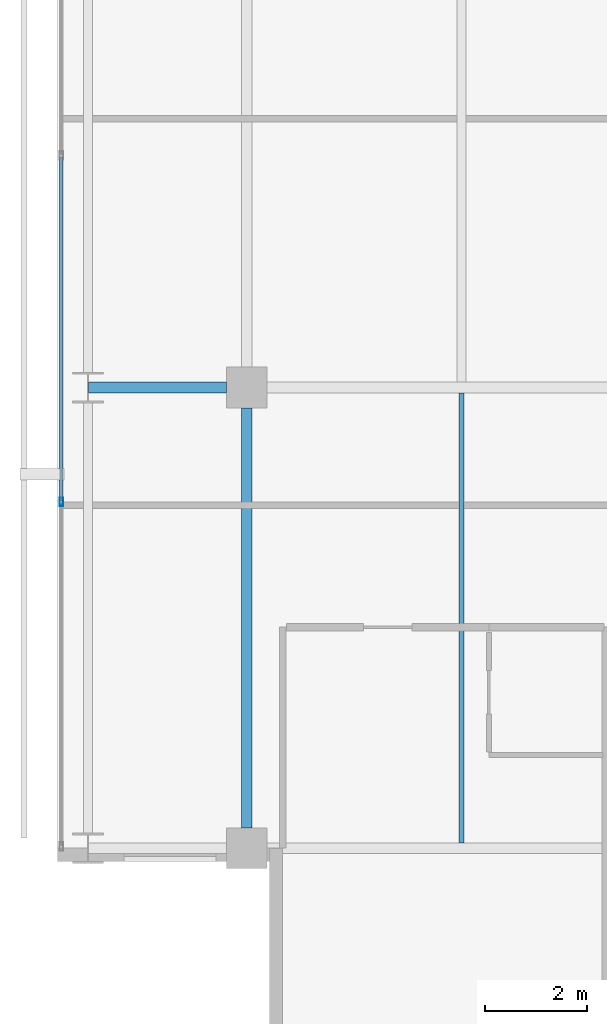
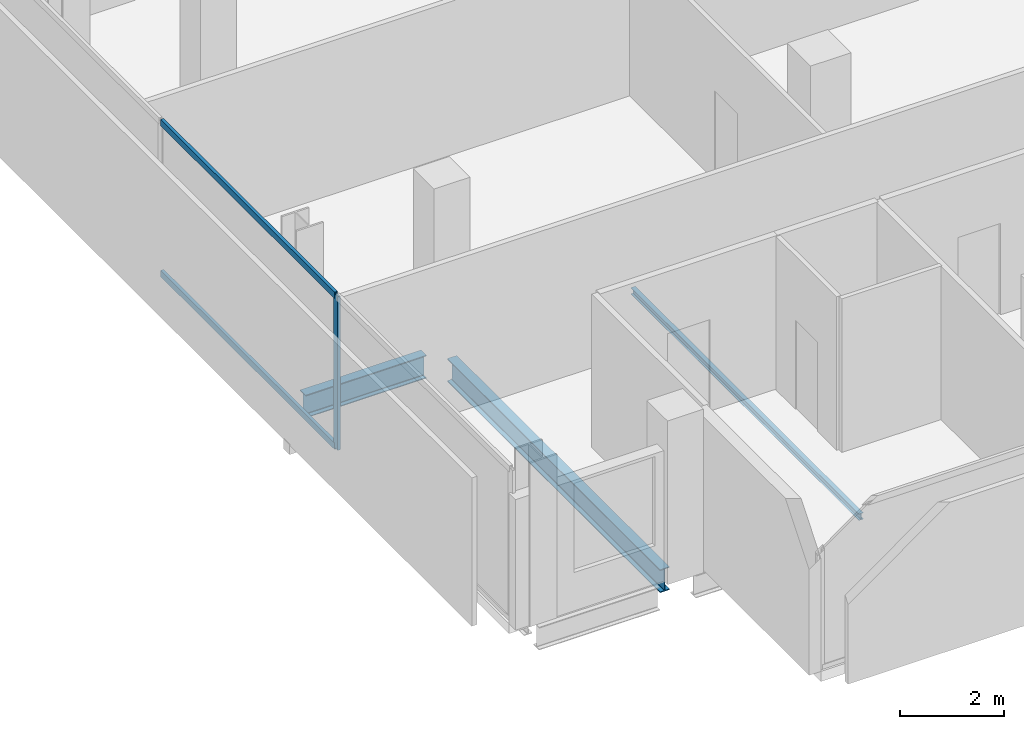
# One storey, part 4 of 33: 3 beams, 3 members, 1 element without a shape of its own.
"""IFC4 building model written with IfcOpenShell, lengths in metres."""

from ifc_helpers import new_model, si_unit, direction, frame, origin, origin_2d, place, context, subcontext, project, spatial, hollow_rectangle, i_section, extrude, material, layer, layer_set, material_profile, profile_set, type_object, element, aggregate, save


model = new_model("IFC4")

# Units and contexts
model_context = context("Model", 3, precision=1e-05, world=origin(), true_north=direction((0.0, 1.0)))
body_context = subcontext(model_context, "Body", "Model", "MODEL_VIEW")
ifc_project = project(units=[si_unit("LENGTHUNIT", "METRE"), si_unit("AREAUNIT", "SQUARE_METRE"), si_unit("VOLUMEUNIT", "CUBIC_METRE"), si_unit("PLANEANGLEUNIT", "RADIAN"), si_unit("MASSUNIT", "GRAM", prefix="KILO")], contexts=[model_context])

# Site, building, storey
site_placement = place(None, origin())
site = spatial("IfcSite", under=ifc_project, at=site_placement, CompositionType="ELEMENT")
building_placement = place(site_placement, origin())
building = spatial("IfcBuilding", under=site, at=building_placement, Name="Maruvema Waterfront Hotel and Observation Tower", CompositionType="ELEMENT")
storey_placement = place(building_placement, frame((0.0, 0.0, 196.699951171875)))
storey = spatial("IfcBuildingStorey", under=building, at=storey_placement, Name="L48", CompositionType="ELEMENT", Elevation=196.699951171875)

# Curtain wall, members
ifc_material_1 = material(Name="Anodised bronze aluminium and solar-control low-E IGU", Category="aluminium")
ifc_layer = layer(ifc_material_1, 0.159912109375, Name="Zone 2 Amber Inner Thermal Curtain Wall System CW-03")
ifc_layer_set = layer_set([ifc_layer], Name="Anodised bronze aluminium and solar-control low-E IGU")
curtain_wall_type = type_object("IfcCurtainWallType", Name="Zone 2 Amber Inner Thermal Curtain Wall System CW-03", PredefinedType="USERDEFINED", material=ifc_layer_set)
curtain_wall_placement = place(storey_placement, origin())
curtain_wall = element("IfcCurtainWall", 1, at=curtain_wall_placement, inside=storey, type_object=curtain_wall_type, Name="L48 Curtain Wall CW-L48-W", ObjectType="UNITISED CURTAIN WALL", PredefinedType="USERDEFINED")
ifc_material_2 = material(Name="Anodised architectural bronze aluminium", Category="aluminium")
ifc_material_profile_1 = material_profile(ifc_material_2, hollow_rectangle(XDim=0.070068359375, YDim=0.14990234375, WallThickness=0.00390625, at=origin_2d()), Name="ALU-T70x150")
ifc_profile_set_1 = profile_set([ifc_material_profile_1], Name="Anodised architectural bronze aluminium")
member_type_1 = type_object("IfcMemberType", Name="Curtain Wall Horizontal Transom ALU-T70x150", PredefinedType="USERDEFINED", material=ifc_profile_set_1)
member_1_placement = place(storey_placement, frame((13.179931640625, 22.50341796875, 0.030029296875), z_axis=(0.0, -1.0, 0.0), x_axis=(1.0, 0.0, 0.0)))
member_1 = element("IfcMember", 2, at=member_1_placement, type_object=member_type_1, Name="CW-03 transom 5.1", ObjectType="TRANSOM", PredefinedType="USERDEFINED", context=body_context, shape_type="SweptSolid", body=[
    extrude(hollow_rectangle(XDim=0.070068359375, YDim=0.14990234375, WallThickness=0.00390625, at=origin_2d()), origin(), (0.0, 0.0, 1.0), 6.706787109375),
])
member_2_placement = place(storey_placement, frame((13.179931640625, 22.50341796875, 3.580078125), z_axis=(0.0, -1.0, 0.0), x_axis=(1.0, 0.0, 0.0)))
member_2 = element("IfcMember", 3, at=member_2_placement, type_object=member_type_1, Name="CW-03 transom 5.2", ObjectType="TRANSOM", PredefinedType="USERDEFINED", context=body_context, shape_type="SweptSolid", body=[
    extrude(hollow_rectangle(XDim=0.070068359375, YDim=0.14990234375, WallThickness=0.00390625, at=origin_2d()), origin(), (0.0, 0.0, 1.0), 6.706787109375),
])
ifc_material_3 = material(Name="Anodised architectural bronze aluminium", Category="aluminium")
ifc_material_profile_2 = material_profile(ifc_material_3, hollow_rectangle(XDim=0.06494140625, YDim=0.1650390625, WallThickness=0.00390625, at=origin_2d()), Name="ALU-M65x165")
ifc_profile_set_2 = profile_set([ifc_material_profile_2], Name="Anodised architectural bronze aluminium")
member_type_2 = type_object("IfcMemberType", Name="Curtain Wall Primary Mullion ALU-M65x165", PredefinedType="MULLION", material=ifc_profile_set_2)
member_3_placement = place(storey_placement, frame((13.179931640625, 15.7666015625, 0.0), z_axis=(0.0, 0.0, 1.0), x_axis=(1.0, 0.0, 0.0)))
member_3 = element("IfcMember", 4, at=member_3_placement, type_object=member_type_2, Name="CW-03 mullion 6", PredefinedType="MULLION", context=body_context, shape_type="SweptSolid", body=[
    extrude(hollow_rectangle(XDim=0.06494140625, YDim=0.1650390625, WallThickness=0.00390625, at=origin_2d()), origin(), (0.0, 0.0, 1.0), 3.610107421875),
])
aggregate(curtain_wall, [member_3, member_1, member_2])

# Beams
ifc_material_4 = material(Name="Steel ASTM A572 Grade 50", Category="steel")
ifc_material_profile_3 = material_profile(ifc_material_4, i_section(OverallWidth=0.2109375, OverallDepth=0.5390625, WebThickness=0.01171875, FlangeThickness=0.018798828125, FilletRadius=0.014892578125, at=origin_2d()), Name="W530x109.0")
ifc_profile_set_3 = profile_set([ifc_material_profile_3], Name="Steel ASTM A572 Grade 50")
beam_type_1 = type_object("IfcBeamType", Name="Primary Floor Girder W530x109.0", PredefinedType="BEAM", material=ifc_profile_set_3)
beam_1_placement = place(storey_placement, frame((13.71240234375, 18.0, -0.509521484375), z_axis=(1.0, 0.0, 0.0), x_axis=(0.0, 1.0, 0.0)))
element("IfcBeam", 5, at=beam_1_placement, inside=storey, type_object=beam_type_1, Name="L48 Floor Girder EW-11", PredefinedType="BEAM", context=body_context, shape_type="SweptSolid", body=[
    extrude(i_section(OverallWidth=0.2109375, OverallDepth=0.5390625, WebThickness=0.01171875, FlangeThickness=0.018798828125, FilletRadius=0.014892578125, at=origin_2d()), origin(), (0.0, 0.0, 1.0), 2.6875),
])
beam_2_placement = place(storey_placement, frame((16.800048828125, 9.39990234375, -0.509521484375), z_axis=(0.0, 1.0, 0.0), x_axis=(-1.0, 0.0, 0.0)))
element("IfcBeam", 6, at=beam_2_placement, inside=storey, type_object=beam_type_1, Name="L48 Floor Girder NS-05", PredefinedType="BEAM", context=body_context, shape_type="SweptSolid", body=[
    extrude(i_section(OverallWidth=0.2109375, OverallDepth=0.5390625, WebThickness=0.01171875, FlangeThickness=0.018798828125, FilletRadius=0.014892578125, at=origin_2d()), origin(), (0.0, 0.0, 1.0), 8.2001953125),
])
ifc_material_5 = material(Name="Steel ASTM A572 Grade 50", Category="steel")
ifc_material_profile_4 = material_profile(ifc_material_5, i_section(OverallWidth=0.10009765625, OverallDepth=0.153076171875, WebThickness=0.005859375, FlangeThickness=0.007080078125, FilletRadius=0.008056640625, at=origin_2d()), Name="W150x18.0")
ifc_profile_set_4 = profile_set([ifc_material_profile_4], Name="Steel ASTM A572 Grade 50")
beam_type_2 = type_object("IfcBeamType", Name="Secondary Floor Joist W150x18.0", PredefinedType="JOIST", material=ifc_profile_set_4)
beam_3_placement = place(storey_placement, frame((21.0, 9.10546875, -0.31640625), z_axis=(0.0, 1.0, 0.0), x_axis=(-1.0, 0.0, 0.0)))
element("IfcBeam", 7, at=beam_3_placement, inside=storey, type_object=beam_type_2, Name="L48 Secondary Floor Joist JS-01", PredefinedType="JOIST", context=body_context, shape_type="SweptSolid", body=[
    extrude(i_section(OverallWidth=0.10009765625, OverallDepth=0.153076171875, WebThickness=0.005859375, FlangeThickness=0.007080078125, FilletRadius=0.008056640625, at=origin_2d()), origin(), (0.0, 0.0, 1.0), 8.7890625),
])

save(model, "model.ifc")
